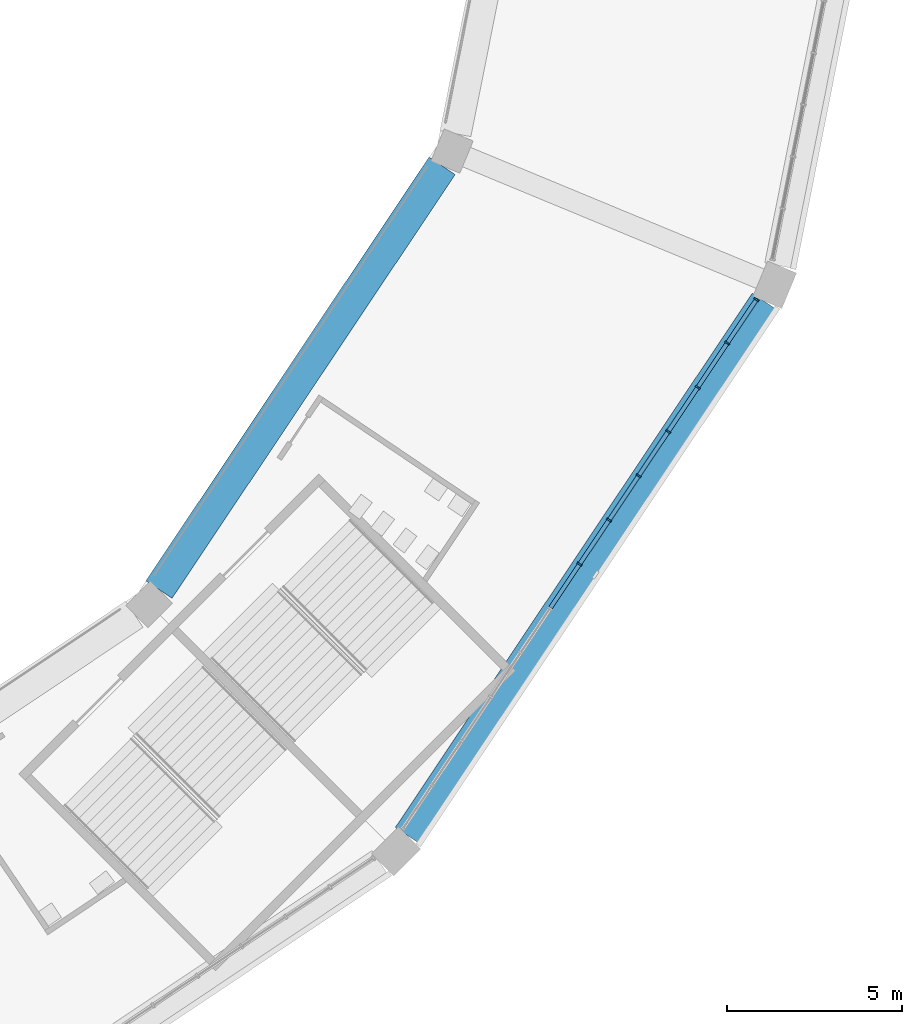
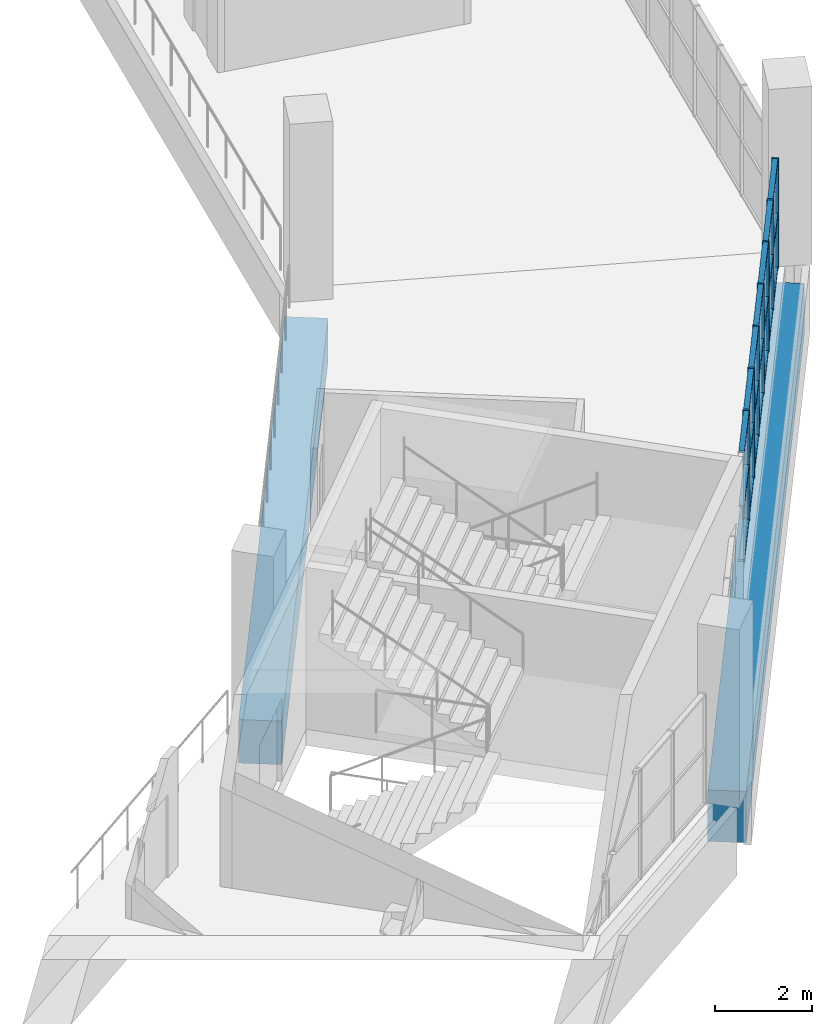
# One storey, part 18 of 177: 28 members, 2 beams, 1 element without a shape of its own.
"""IFC4 building model written with IfcOpenShell, lengths in metres."""

from ifc_helpers import new_model, si_unit, direction, frame, origin, origin_2d, place, context, subcontext, project, spatial, rectangle, extrude, material, material_profile, profile_set, type_object, element, aggregate, save


model = new_model("IFC4")

# Units and contexts
model_context = context("Model", 3, precision=1e-05, world=origin(), true_north=direction((0.0, 1.0)))
body_context = subcontext(model_context, "Body", "Model", "MODEL_VIEW")
ifc_project = project(units=[si_unit("LENGTHUNIT", "METRE"), si_unit("AREAUNIT", "SQUARE_METRE"), si_unit("VOLUMEUNIT", "CUBIC_METRE"), si_unit("PLANEANGLEUNIT", "RADIAN"), si_unit("MASSUNIT", "GRAM", prefix="KILO")], contexts=[model_context])

# Site, building, storey
site_placement = place(None, origin())
site = spatial("IfcSite", under=ifc_project, at=site_placement, CompositionType="ELEMENT")
building_placement = place(site_placement, origin())
building = spatial("IfcBuilding", under=site, at=building_placement, Name="Ogive Plaza Stadium", CompositionType="ELEMENT")
storey_placement = place(building_placement, frame((0.0, 0.0, 18.0)))
storey = spatial("IfcBuildingStorey", under=building, at=storey_placement, Name="L04", CompositionType="ELEMENT", Elevation=18.0)

# Curtain wall, members
ifc_material_1 = material(Name="Bronze-anodised aluminium with laminated glass", Category="aluminium")
curtain_wall_type = type_object("IfcCurtainWallType", Name="Lancet curtain wall", PredefinedType="NOTDEFINED", material=ifc_material_1)
curtain_wall_placement = place(storey_placement, origin())
curtain_wall = element("IfcCurtainWall", 1, at=curtain_wall_placement, inside=storey, type_object=curtain_wall_type, Name="CURTAIN WALL B09 L04", PredefinedType="NOTDEFINED")
ifc_material_2 = material(Name="Bronze-anodised aluminium", Category="aluminium")
ifc_material_profile_1 = material_profile(ifc_material_2, rectangle(XDim=0.14990234375, YDim=0.050048828125, at=origin_2d()), Name="AL 150x50")
ifc_profile_set_1 = profile_set([ifc_material_profile_1], Name="Bronze-anodised aluminium")
member_type_1 = type_object("IfcMemberType", Name="Curtain wall mullion 50x150", PredefinedType="MULLION", material=ifc_profile_set_1)
member_1_placement = place(storey_placement, frame((79.669189453125, -72.059814453125, 0.0), z_axis=(0.0, 0.0, 1.0), x_axis=(0.831469612303, -0.55557023302, 0.0)))
member_1 = element("IfcMember", 2, at=member_1_placement, type_object=member_type_1, Name="CW-B09-L04 mullion 1", PredefinedType="MULLION", context=body_context, shape_type="SweptSolid", body=[
    extrude(rectangle(XDim=0.14990234375, YDim=0.050048828125, at=origin_2d()), origin(), (0.0, 0.0, 1.0), 2.7900390625),
])
member_2_placement = place(storey_placement, frame((78.837158203125, -73.3046875, 0.0), z_axis=(0.0, 0.0, 1.0), x_axis=(0.831469612303, -0.55557023302, 0.0)))
member_2 = element("IfcMember", 3, at=member_2_placement, type_object=member_type_1, Name="CW-B09-L04 mullion 2", PredefinedType="MULLION", context=body_context, shape_type="SweptSolid", body=[
    extrude(rectangle(XDim=0.14990234375, YDim=0.050048828125, at=origin_2d()), origin(), (0.0, 0.0, 1.0), 2.7900390625),
])
member_3_placement = place(storey_placement, frame((77.991455078125, -74.570556640625, 0.0), z_axis=(0.0, 0.0, 1.0), x_axis=(0.831469612303, -0.55557023302, 0.0)))
member_3 = element("IfcMember", 4, at=member_3_placement, type_object=member_type_1, Name="CW-B09-L04 mullion 3", PredefinedType="MULLION", context=body_context, shape_type="SweptSolid", body=[
    extrude(rectangle(XDim=0.14990234375, YDim=0.050048828125, at=origin_2d()), origin(), (0.0, 0.0, 1.0), 2.7900390625),
])
member_4_placement = place(storey_placement, frame((77.145751953125, -75.836181640625, 0.0), z_axis=(0.0, 0.0, 1.0), x_axis=(0.831469612303, -0.55557023302, 0.0)))
member_4 = element("IfcMember", 5, at=member_4_placement, type_object=member_type_1, Name="CW-B09-L04 mullion 4", PredefinedType="MULLION", context=body_context, shape_type="SweptSolid", body=[
    extrude(rectangle(XDim=0.14990234375, YDim=0.050048828125, at=origin_2d()), origin(), (0.0, 0.0, 1.0), 2.7900390625),
])
member_5_placement = place(storey_placement, frame((76.2998046875, -77.10205078125, 0.0), z_axis=(0.0, 0.0, 1.0), x_axis=(0.831469612303, -0.55557023302, 0.0)))
member_5 = element("IfcMember", 6, at=member_5_placement, type_object=member_type_1, Name="CW-B09-L04 mullion 5", PredefinedType="MULLION", context=body_context, shape_type="SweptSolid", body=[
    extrude(rectangle(XDim=0.14990234375, YDim=0.050048828125, at=origin_2d()), origin(), (0.0, 0.0, 1.0), 2.7900390625),
])
member_6_placement = place(storey_placement, frame((75.4541015625, -78.367919921875, 0.0), z_axis=(0.0, 0.0, 1.0), x_axis=(0.831469612303, -0.55557023302, 0.0)))
member_6 = element("IfcMember", 7, at=member_6_placement, type_object=member_type_1, Name="CW-B09-L04 mullion 6", PredefinedType="MULLION", context=body_context, shape_type="SweptSolid", body=[
    extrude(rectangle(XDim=0.14990234375, YDim=0.050048828125, at=origin_2d()), origin(), (0.0, 0.0, 1.0), 2.7900390625),
])
member_7_placement = place(storey_placement, frame((74.6083984375, -79.633544921875, 0.0), z_axis=(0.0, 0.0, 1.0), x_axis=(0.831469612303, -0.55557023302, 0.0)))
member_7 = element("IfcMember", 8, at=member_7_placement, type_object=member_type_1, Name="CW-B09-L04 mullion 7", PredefinedType="MULLION", context=body_context, shape_type="SweptSolid", body=[
    extrude(rectangle(XDim=0.14990234375, YDim=0.050048828125, at=origin_2d()), origin(), (0.0, 0.0, 1.0), 2.7900390625),
])
ifc_material_3 = material(Name="Bronze-anodised aluminium", Category="aluminium")
ifc_material_profile_2 = material_profile(ifc_material_3, rectangle(XDim=0.1201171875, YDim=0.050048828125, at=origin_2d()), Name="AL 120x50")
ifc_profile_set_2 = profile_set([ifc_material_profile_2], Name="Bronze-anodised aluminium")
member_type_2 = type_object("IfcMemberType", Name="Curtain wall transom 50x120", PredefinedType="USERDEFINED", material=ifc_profile_set_2)
member_8_placement = place(storey_placement, frame((79.6552734375, -72.08056640625, 0.02490234375), z_axis=(-0.555634077892, -0.831426948977, 0.0), x_axis=(0.831426948977, -0.555634077892, 0.0)))
member_8 = element("IfcMember", 9, at=member_8_placement, type_object=member_type_2, Name="CW-B09-L04 transom 1.1", ObjectType="TRANSOM", PredefinedType="USERDEFINED", context=body_context, shape_type="SweptSolid", body=[
    extrude(rectangle(XDim=0.1201171875, YDim=0.050048828125, at=origin_2d()), origin(), (0.0, 0.0, 1.0), 1.447265625),
])
member_9_placement = place(storey_placement, frame((79.6552734375, -72.08056640625, 1.39501953125), z_axis=(-0.555634077892, -0.831426948977, 0.0), x_axis=(0.831426948977, -0.555634077892, 0.0)))
member_9 = element("IfcMember", 10, at=member_9_placement, type_object=member_type_2, Name="CW-B09-L04 transom 1.2", ObjectType="TRANSOM", PredefinedType="USERDEFINED", context=body_context, shape_type="SweptSolid", body=[
    extrude(rectangle(XDim=0.1201171875, YDim=0.050048828125, at=origin_2d()), origin(), (0.0, 0.0, 1.0), 1.447265625),
])
member_10_placement = place(storey_placement, frame((79.6552734375, -72.08056640625, 2.764892578125), z_axis=(-0.555634077892, -0.831426948977, 0.0), x_axis=(0.831426948977, -0.555634077892, 0.0)))
member_10 = element("IfcMember", 11, at=member_10_placement, type_object=member_type_2, Name="CW-B09-L04 transom 1.3", ObjectType="TRANSOM", PredefinedType="USERDEFINED", context=body_context, shape_type="SweptSolid", body=[
    extrude(rectangle(XDim=0.1201171875, YDim=0.050048828125, at=origin_2d()), origin(), (0.0, 0.0, 1.0), 1.447265625),
])
member_11_placement = place(storey_placement, frame((78.8232421875, -73.325439453125, 0.02490234375), z_axis=(-0.555465240925, -0.83153975619, 0.0), x_axis=(0.83153975619, -0.555465240925, 0.0)))
member_11 = element("IfcMember", 12, at=member_11_placement, type_object=member_type_2, Name="CW-B09-L04 transom 2.1", ObjectType="TRANSOM", PredefinedType="USERDEFINED", context=body_context, shape_type="SweptSolid", body=[
    extrude(rectangle(XDim=0.1201171875, YDim=0.050048828125, at=origin_2d()), origin(), (0.0, 0.0, 1.0), 1.472412109375),
])
member_12_placement = place(storey_placement, frame((78.8232421875, -73.325439453125, 1.39501953125), z_axis=(-0.555465240925, -0.83153975619, 0.0), x_axis=(0.83153975619, -0.555465240925, 0.0)))
member_12 = element("IfcMember", 13, at=member_12_placement, type_object=member_type_2, Name="CW-B09-L04 transom 2.2", ObjectType="TRANSOM", PredefinedType="USERDEFINED", context=body_context, shape_type="SweptSolid", body=[
    extrude(rectangle(XDim=0.1201171875, YDim=0.050048828125, at=origin_2d()), origin(), (0.0, 0.0, 1.0), 1.472412109375),
])
member_13_placement = place(storey_placement, frame((78.8232421875, -73.325439453125, 2.764892578125), z_axis=(-0.555465240925, -0.83153975619, 0.0), x_axis=(0.83153975619, -0.555465240925, 0.0)))
member_13 = element("IfcMember", 14, at=member_13_placement, type_object=member_type_2, Name="CW-B09-L04 transom 2.3", ObjectType="TRANSOM", PredefinedType="USERDEFINED", context=body_context, shape_type="SweptSolid", body=[
    extrude(rectangle(XDim=0.1201171875, YDim=0.050048828125, at=origin_2d()), origin(), (0.0, 0.0, 1.0), 1.472412109375),
])
member_14_placement = place(storey_placement, frame((77.9775390625, -74.59130859375, 0.02490234375), z_axis=(-0.555541835587, -0.831488586159, 0.0), x_axis=(0.831488586159, -0.555541835587, 0.0)))
member_14 = element("IfcMember", 15, at=member_14_placement, type_object=member_type_2, Name="CW-B09-L04 transom 3.1", ObjectType="TRANSOM", PredefinedType="USERDEFINED", context=body_context, shape_type="SweptSolid", body=[
    extrude(rectangle(XDim=0.1201171875, YDim=0.050048828125, at=origin_2d()), origin(), (0.0, 0.0, 1.0), 1.47216796875),
])
member_15_placement = place(storey_placement, frame((77.9775390625, -74.59130859375, 1.39501953125), z_axis=(-0.555541835587, -0.831488586159, 0.0), x_axis=(0.831488586159, -0.555541835587, 0.0)))
member_15 = element("IfcMember", 16, at=member_15_placement, type_object=member_type_2, Name="CW-B09-L04 transom 3.2", ObjectType="TRANSOM", PredefinedType="USERDEFINED", context=body_context, shape_type="SweptSolid", body=[
    extrude(rectangle(XDim=0.1201171875, YDim=0.050048828125, at=origin_2d()), origin(), (0.0, 0.0, 1.0), 1.47216796875),
])
member_16_placement = place(storey_placement, frame((77.9775390625, -74.59130859375, 2.764892578125), z_axis=(-0.555541835587, -0.831488586159, 0.0), x_axis=(0.831488586159, -0.555541835587, 0.0)))
member_16 = element("IfcMember", 17, at=member_16_placement, type_object=member_type_2, Name="CW-B09-L04 transom 3.3", ObjectType="TRANSOM", PredefinedType="USERDEFINED", context=body_context, shape_type="SweptSolid", body=[
    extrude(rectangle(XDim=0.1201171875, YDim=0.050048828125, at=origin_2d()), origin(), (0.0, 0.0, 1.0), 1.47216796875),
])
member_17_placement = place(storey_placement, frame((77.1318359375, -75.857177734375, 0.02490234375), z_axis=(-0.555656472512, -0.831411982446, 0.0), x_axis=(0.831411982446, -0.555656472512, 0.0)))
member_17 = element("IfcMember", 18, at=member_17_placement, type_object=member_type_2, Name="CW-B09-L04 transom 4.1", ObjectType="TRANSOM", PredefinedType="USERDEFINED", context=body_context, shape_type="SweptSolid", body=[
    extrude(rectangle(XDim=0.1201171875, YDim=0.050048828125, at=origin_2d()), origin(), (0.0, 0.0, 1.0), 1.472412109375),
])
member_18_placement = place(storey_placement, frame((77.1318359375, -75.857177734375, 1.39501953125), z_axis=(-0.555656472512, -0.831411982446, 0.0), x_axis=(0.831411982446, -0.555656472512, 0.0)))
member_18 = element("IfcMember", 19, at=member_18_placement, type_object=member_type_2, Name="CW-B09-L04 transom 4.2", ObjectType="TRANSOM", PredefinedType="USERDEFINED", context=body_context, shape_type="SweptSolid", body=[
    extrude(rectangle(XDim=0.1201171875, YDim=0.050048828125, at=origin_2d()), origin(), (0.0, 0.0, 1.0), 1.472412109375),
])
member_19_placement = place(storey_placement, frame((77.1318359375, -75.857177734375, 2.764892578125), z_axis=(-0.555656472512, -0.831411982446, 0.0), x_axis=(0.831411982446, -0.555656472512, 0.0)))
member_19 = element("IfcMember", 20, at=member_19_placement, type_object=member_type_2, Name="CW-B09-L04 transom 4.3", ObjectType="TRANSOM", PredefinedType="USERDEFINED", context=body_context, shape_type="SweptSolid", body=[
    extrude(rectangle(XDim=0.1201171875, YDim=0.050048828125, at=origin_2d()), origin(), (0.0, 0.0, 1.0), 1.472412109375),
])
member_20_placement = place(storey_placement, frame((76.2861328125, -77.122802734375, 0.02490234375), z_axis=(-0.555579876157, -0.831463168883, 0.0), x_axis=(0.831463168883, -0.555579876157, 0.0)))
member_20 = element("IfcMember", 21, at=member_20_placement, type_object=member_type_2, Name="CW-B09-L04 transom 5.1", ObjectType="TRANSOM", PredefinedType="USERDEFINED", context=body_context, shape_type="SweptSolid", body=[
    extrude(rectangle(XDim=0.1201171875, YDim=0.050048828125, at=origin_2d()), origin(), (0.0, 0.0, 1.0), 1.47265625),
])
member_21_placement = place(storey_placement, frame((76.2861328125, -77.122802734375, 1.39501953125), z_axis=(-0.555579876157, -0.831463168883, 0.0), x_axis=(0.831463168883, -0.555579876157, 0.0)))
member_21 = element("IfcMember", 22, at=member_21_placement, type_object=member_type_2, Name="CW-B09-L04 transom 5.2", ObjectType="TRANSOM", PredefinedType="USERDEFINED", context=body_context, shape_type="SweptSolid", body=[
    extrude(rectangle(XDim=0.1201171875, YDim=0.050048828125, at=origin_2d()), origin(), (0.0, 0.0, 1.0), 1.47265625),
])
member_22_placement = place(storey_placement, frame((76.2861328125, -77.122802734375, 2.764892578125), z_axis=(-0.555579876157, -0.831463168883, 0.0), x_axis=(0.831463168883, -0.555579876157, 0.0)))
member_22 = element("IfcMember", 23, at=member_22_placement, type_object=member_type_2, Name="CW-B09-L04 transom 5.3", ObjectType="TRANSOM", PredefinedType="USERDEFINED", context=body_context, shape_type="SweptSolid", body=[
    extrude(rectangle(XDim=0.1201171875, YDim=0.050048828125, at=origin_2d()), origin(), (0.0, 0.0, 1.0), 1.47265625),
])
member_23_placement = place(storey_placement, frame((75.440185546875, -78.388671875, 0.02490234375), z_axis=(-0.555541835587, -0.831488586159, 0.0), x_axis=(0.831488586159, -0.555541835587, 0.0)))
member_23 = element("IfcMember", 24, at=member_23_placement, type_object=member_type_2, Name="CW-B09-L04 transom 6.1", ObjectType="TRANSOM", PredefinedType="USERDEFINED", context=body_context, shape_type="SweptSolid", body=[
    extrude(rectangle(XDim=0.1201171875, YDim=0.050048828125, at=origin_2d()), origin(), (0.0, 0.0, 1.0), 1.47216796875),
])
member_24_placement = place(storey_placement, frame((75.440185546875, -78.388671875, 1.39501953125), z_axis=(-0.555541835587, -0.831488586159, 0.0), x_axis=(0.831488586159, -0.555541835587, 0.0)))
member_24 = element("IfcMember", 25, at=member_24_placement, type_object=member_type_2, Name="CW-B09-L04 transom 6.2", ObjectType="TRANSOM", PredefinedType="USERDEFINED", context=body_context, shape_type="SweptSolid", body=[
    extrude(rectangle(XDim=0.1201171875, YDim=0.050048828125, at=origin_2d()), origin(), (0.0, 0.0, 1.0), 1.47216796875),
])
member_25_placement = place(storey_placement, frame((75.440185546875, -78.388671875, 2.764892578125), z_axis=(-0.555541835587, -0.831488586159, 0.0), x_axis=(0.831488586159, -0.555541835587, 0.0)))
member_25 = element("IfcMember", 26, at=member_25_placement, type_object=member_type_2, Name="CW-B09-L04 transom 6.3", ObjectType="TRANSOM", PredefinedType="USERDEFINED", context=body_context, shape_type="SweptSolid", body=[
    extrude(rectangle(XDim=0.1201171875, YDim=0.050048828125, at=origin_2d()), origin(), (0.0, 0.0, 1.0), 1.47216796875),
])
member_26_placement = place(storey_placement, frame((74.594482421875, -79.654541015625, 0.02490234375), z_axis=(-0.555656472512, -0.831411982446, 0.0), x_axis=(0.831411982446, -0.555656472512, 0.0)))
member_26 = element("IfcMember", 27, at=member_26_placement, type_object=member_type_2, Name="CW-B09-L04 transom 7.1", ObjectType="TRANSOM", PredefinedType="USERDEFINED", context=body_context, shape_type="SweptSolid", body=[
    extrude(rectangle(XDim=0.1201171875, YDim=0.050048828125, at=origin_2d()), origin(), (0.0, 0.0, 1.0), 1.472412109375),
])
member_27_placement = place(storey_placement, frame((74.594482421875, -79.654541015625, 1.39501953125), z_axis=(-0.555656472512, -0.831411982446, 0.0), x_axis=(0.831411982446, -0.555656472512, 0.0)))
member_27 = element("IfcMember", 28, at=member_27_placement, type_object=member_type_2, Name="CW-B09-L04 transom 7.2", ObjectType="TRANSOM", PredefinedType="USERDEFINED", context=body_context, shape_type="SweptSolid", body=[
    extrude(rectangle(XDim=0.1201171875, YDim=0.050048828125, at=origin_2d()), origin(), (0.0, 0.0, 1.0), 1.472412109375),
])
member_28_placement = place(storey_placement, frame((74.594482421875, -79.654541015625, 2.764892578125), z_axis=(-0.555656472512, -0.831411982446, 0.0), x_axis=(0.831411982446, -0.555656472512, 0.0)))
member_28 = element("IfcMember", 29, at=member_28_placement, type_object=member_type_2, Name="CW-B09-L04 transom 7.3", ObjectType="TRANSOM", PredefinedType="USERDEFINED", context=body_context, shape_type="SweptSolid", body=[
    extrude(rectangle(XDim=0.1201171875, YDim=0.050048828125, at=origin_2d()), origin(), (0.0, 0.0, 1.0), 1.472412109375),
])
aggregate(curtain_wall, [member_1, member_2, member_3, member_4, member_5, member_6, member_7, member_8, member_9, member_10, member_11, member_12, member_13, member_14, member_15, member_16, member_17, member_18, member_19, member_20, member_21, member_22, member_23, member_24, member_25, member_26, member_27, member_28])

# Beams
ifc_material_4 = material(Name="Concrete C40/50", Category="concrete")
ifc_material_profile_3 = material_profile(ifc_material_4, rectangle(XDim=0.89990234375, YDim=1.10009765625, at=origin_2d()), Name="RC 900x1100")
ifc_profile_set_3 = profile_set([ifc_material_profile_3], Name="Concrete C40/50")
beam_type_1 = type_object("IfcBeamType", Name="RC ring beam 900x1100", PredefinedType="BEAM", material=ifc_profile_set_3)
beam_1_placement = place(storey_placement, frame((70.671875, -68.231201171875, -0.9599609375), z_axis=(-0.555572744827, -0.831467933961, 0.0), x_axis=(0.831467933961, -0.555572744827, 0.0)))
element("IfcBeam", 30, at=beam_1_placement, inside=storey, type_object=beam_type_1, Name="Ring beam F4 L04 B09", PredefinedType="BEAM", context=body_context, shape_type="SweptSolid", body=[
    extrude(rectangle(XDim=0.89990234375, YDim=1.10009765625, at=origin_2d()), origin(), (0.0, 0.0, 1.0), 14.587646484375),
])
ifc_material_5 = material(Name="Concrete C40/50", Category="concrete")
ifc_material_profile_4 = material_profile(ifc_material_5, rectangle(XDim=0.800048828125, YDim=1.300048828125, at=origin_2d()), Name="RC 800x1300")
ifc_profile_set_4 = profile_set([ifc_material_profile_4], Name="Concrete C40/50")
beam_type_2 = type_object("IfcBeamType", Name="RC spandrel beam 800x1300", PredefinedType="SPANDREL", material=ifc_profile_set_4)
beam_2_placement = place(storey_placement, frame((79.88232421875, -72.100341796875, -1.06005859375), z_axis=(-0.555557833169, -0.831477897484, 0.0), x_axis=(0.831477897484, -0.555557833169, 0.0)))
element("IfcBeam", 31, at=beam_2_placement, inside=storey, type_object=beam_type_2, Name="Ring beam F5 L04 B09", PredefinedType="SPANDREL", context=body_context, shape_type="SweptSolid", body=[
    extrude(rectangle(XDim=0.800048828125, YDim=1.300048828125, at=origin_2d()), origin(), (0.0, 0.0, 1.0), 18.387451171875),
])

save(model, "model.ifc")
